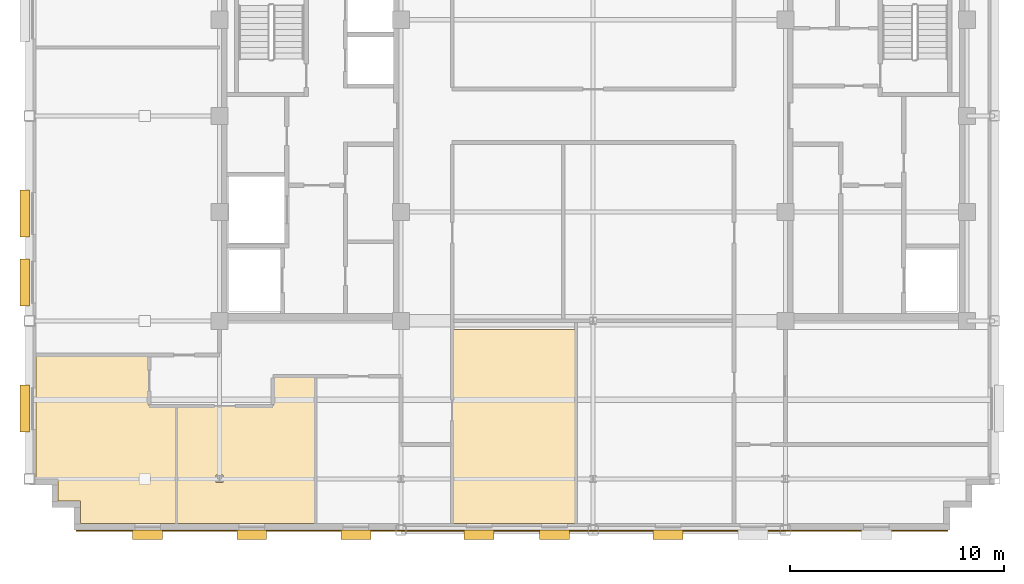
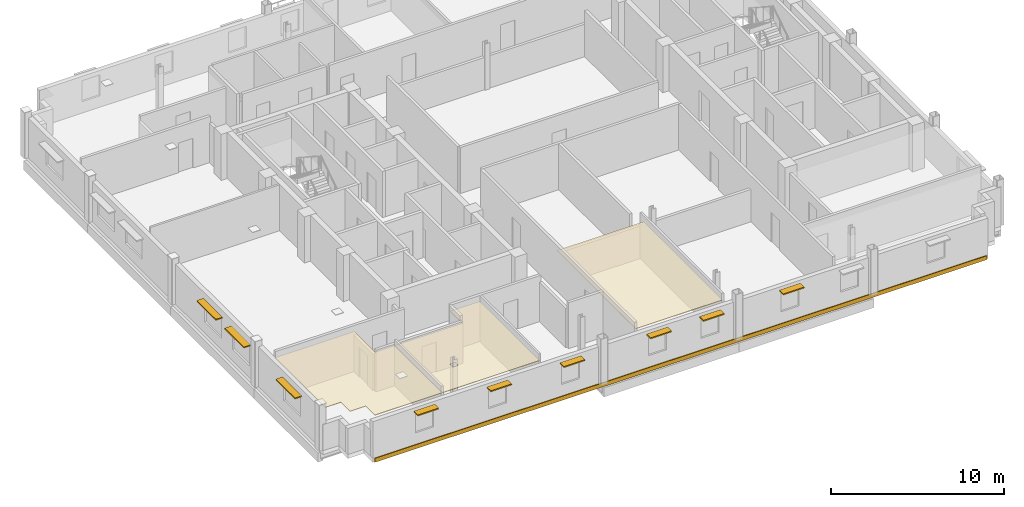
# One storey, part 10 of 14: 9 shading devices, 4 coverings.
"""IFC4 building model written with IfcOpenShell, lengths in metres."""

import ifcopenshell
import ifcopenshell.guid

model = None  # the IFC model being written
_history = None  # IfcOwnerHistory: only IFC2X3 demands one
_inside = {}  # id of a spatial element -> (the spatial element, [elements in it])
_under = {}  # id of a project, library or spatial element -> (it, [spatial elements below it])
_declared = {}  # id of a project -> (the project, [libraries it declares])
_typed = {}  # id of a type object -> (the type object, [elements of that type])
_made_of = {}  # id of a material, layer set ... -> (it, [elements and type objects made of it])


def new_model(schema):
    """Start an empty IFC model of exactly this schema.

    Asked for "IFC4X3", IfcOpenShell would pick the latest addendum, in which some entities
    have other attributes; the version numbers below select the first issue.
    IFC2X3 requires an IfcOwnerHistory on every rooted entity: one is made here for all.
    """
    global model, _history
    if schema == "IFC4X3":
        model = ifcopenshell.file(schema_version=(4, 3, 0, 0))
    else:
        model = ifcopenshell.file(schema=schema)
    _inside.clear()
    _under.clear()
    _declared.clear()
    _typed.clear()
    _made_of.clear()
    _history = None
    if model.schema == "IFC2X3":
        org = make("IfcOrganization", Name="unknown")
        user = make(
            "IfcPersonAndOrganization",
            ThePerson=make("IfcPerson", FamilyName="unknown"),
            TheOrganization=org,
        )
        app = make(
            "IfcApplication",
            ApplicationDeveloper=org,
            Version="unknown",
            ApplicationFullName="unknown",
            ApplicationIdentifier="unknown",
        )
        _history = make(
            "IfcOwnerHistory",
            OwningUser=user,
            OwningApplication=app,
            ChangeAction="ADDED",
            CreationDate=0,
        )
    return model


def make(cls, **values):
    """One entity of the class cls with the attributes given. An attribute that is None is left unset."""
    return model.create_entity(
        cls, **{name: value for name, value in values.items() if value is not None}
    )


def rooted(cls, **values):
    """An entity with a GlobalId (a new one), such as an element, a storey or a relation."""
    return make(cls, GlobalId=ifcopenshell.guid.new(), OwnerHistory=_history, **values)


def si_unit(unit_type, name, prefix=None):
    """IfcSIUnit, for example si_unit("LENGTHUNIT", "METRE", prefix="MILLI")."""
    return make("IfcSIUnit", UnitType=unit_type, Prefix=prefix, Name=name)


def assignment(units):
    """IfcUnitAssignment: the units of a project."""
    return None if units is None else make("IfcUnitAssignment", Units=units)


def point(xyz):
    """IfcCartesianPoint."""
    return None if xyz is None else make("IfcCartesianPoint", Coordinates=xyz)


def direction(xyz):
    """IfcDirection."""
    return None if xyz is None else make("IfcDirection", DirectionRatios=xyz)


def frame(location, z_axis=None, x_axis=None):
    """IfcAxis2Placement3D, a coordinate frame: its origin and axes. An axis left out is left unset."""
    return make(
        "IfcAxis2Placement3D",
        Location=point(location),
        Axis=direction(z_axis),
        RefDirection=direction(x_axis),
    )


def frame_2d(location, x_axis=None):
    """IfcAxis2Placement2D, a coordinate frame in the plane: its origin and x axis."""
    return make(
        "IfcAxis2Placement2D", Location=point(location), RefDirection=direction(x_axis)
    )


def origin():
    """The frame at (0, 0, 0) with its axes left unset."""
    return frame((0.0, 0.0, 0.0))


def origin_2d():
    """The frame at (0, 0) in the plane with its x axis left unset."""
    return frame_2d((0.0, 0.0))


def place(relative_to, where):
    """IfcLocalPlacement: puts the frame where relative to a parent placement (None: the world)."""
    return make(
        "IfcLocalPlacement", PlacementRelTo=relative_to, RelativePlacement=where
    )


def context(
    kind, dimensions, precision=None, world=None, true_north=None, identifier=None
):
    """IfcGeometricRepresentationContext, for example the 3D "Model" context."""
    return make(
        "IfcGeometricRepresentationContext",
        ContextIdentifier=identifier,
        ContextType=kind,
        CoordinateSpaceDimension=dimensions,
        Precision=precision,
        WorldCoordinateSystem=world,
        TrueNorth=true_north,
    )


def subcontext(parent, identifier, kind, view, scale=None):
    """IfcGeometricRepresentationSubContext, for example "Body" below "Model"."""
    return make(
        "IfcGeometricRepresentationSubContext",
        ContextIdentifier=identifier,
        ContextType=kind,
        ParentContext=parent,
        TargetScale=scale,
        TargetView=view,
    )


def project(units=None, contexts=None):
    """IfcProject with its units and contexts."""
    return rooted(
        "IfcProject",
        Name="project",
        RepresentationContexts=contexts,
        UnitsInContext=assignment(units),
    )


def spatial(cls, under=None, at=None, **own):
    """A site, building, storey or space (cls), placed at a placement, below another one or the project."""
    s = rooted(cls, ObjectPlacement=at, **own)
    if under is not None:
        _under.setdefault(under.id(), (under, []))[1].append(s)
    return s


def polyline(points):
    """IfcPolyline through the points."""
    return make("IfcPolyline", Points=[point(p) for p in points])


def profile(cls, at=None, kind="AREA", **sizes):
    """A parametric profile (cls). Its sizes go by their IFC names, for example OverallWidth=200.0."""
    return make(cls, ProfileType=kind, Position=at, **sizes)


def rectangle(**sizes):
    """IfcRectangleProfileDef."""
    return profile("IfcRectangleProfileDef", **sizes)


def outline(outer, holes=None, kind="AREA"):
    """IfcArbitraryClosedProfileDef: a profile drawn as a closed curve; with holes, ...WithVoids."""
    if holes is None:
        return make("IfcArbitraryClosedProfileDef", ProfileType=kind, OuterCurve=outer)
    return make(
        "IfcArbitraryProfileDefWithVoids",
        ProfileType=kind,
        OuterCurve=outer,
        InnerCurves=holes,
    )


def extrude(swept, where, along, depth):
    """IfcExtrudedAreaSolid: the profile swept, set in the frame where, extruded along a direction by depth."""
    return make(
        "IfcExtrudedAreaSolid",
        SweptArea=swept,
        Position=where,
        ExtrudedDirection=direction(along),
        Depth=depth,
    )


def shape(context_of_items, identifier, shape_type, items):
    """IfcShapeRepresentation: the items that make up one representation, for example the "Body"."""
    return make(
        "IfcShapeRepresentation",
        ContextOfItems=context_of_items,
        RepresentationIdentifier=identifier,
        RepresentationType=shape_type,
        Items=items,
    )


def source(mapping_origin, context_of_items, identifier, shape_type, items):
    """IfcRepresentationMap: a shape defined once, which mapped items show again and again."""
    return make(
        "IfcRepresentationMap",
        MappingOrigin=mapping_origin,
        MappedRepresentation=shape(context_of_items, identifier, shape_type, items),
    )


def transform(
    local_origin,
    x_axis=None,
    y_axis=None,
    z_axis=None,
    scale=None,
    scale2=None,
    scale3=None,
    uniform=True,
):
    """IfcCartesianTransformationOperator3D, or its non-uniform kind. x_axis, y_axis, z_axis: its Axis1, 2, 3."""
    if uniform:
        return make(
            "IfcCartesianTransformationOperator3D",
            Axis1=direction(x_axis),
            Axis2=direction(y_axis),
            LocalOrigin=point(local_origin),
            Scale=scale,
            Axis3=direction(z_axis),
        )
    return make(
        "IfcCartesianTransformationOperator3DnonUniform",
        Axis1=direction(x_axis),
        Axis2=direction(y_axis),
        LocalOrigin=point(local_origin),
        Scale=scale,
        Axis3=direction(z_axis),
        Scale2=scale2,
        Scale3=scale3,
    )


def mapped(mapping_source, mapping_target):
    """IfcMappedItem: shows the shape of a source again, moved by a transform."""
    return make(
        "IfcMappedItem", MappingSource=mapping_source, MappingTarget=mapping_target
    )


def material(Name=None, Category=None):
    """IfcMaterial."""
    return make("IfcMaterial", Name=Name, Category=Category)


def layer(
    of_material, thickness, ventilated=None, Name=None, Category=None, Priority=None
):
    """IfcMaterialLayer: one layer of a wall or slab, of a material (None: an air gap)."""
    return make(
        "IfcMaterialLayer",
        Material=of_material,
        LayerThickness=thickness,
        IsVentilated=ventilated,
        Name=Name,
        Category=Category,
        Priority=Priority,
    )


def layer_set(layers, Name=None):
    """IfcMaterialLayerSet."""
    return make("IfcMaterialLayerSet", MaterialLayers=layers, LayerSetName=Name)


def made_of(thing, what):
    """Note that an element or type object is made of a material, layer set ...; save() writes the relation."""
    if what is not None:
        _made_of.setdefault(what.id(), (what, []))[1].append(thing)
    return thing


def type_object(cls, material=None, **own):
    """A type object (cls), such as IfcWallType, which elements share."""
    return made_of(rooted(cls, **own), material)


def type_shapes(of_type, sources):
    """Give a type object the sources (RepresentationMaps) that its elements show as mapped items."""
    of_type.RepresentationMaps = sources


def element(
    cls,
    number,
    at=None,
    inside=None,
    cuts=None,
    type_object=None,
    material=None,
    context=None,
    identifier="Body",
    shape_type=None,
    held_by="IfcProductDefinitionShape",
    body=None,
    shapes=None,
    **own,
):
    """One element of the class cls, such as IfcWall. Its Tag is "e" and its number.

    at: its placement. inside: the storey or other place that contains it. cuts: it is an
    opening in that element (IfcRelVoidsElement). A single representation is given by context,
    identifier, shape_type and body (its items); several are given by shapes. held_by: the class
    of the entity that holds the representations. save() writes the other relations.
    """
    e = rooted(cls, Tag="e%d" % number, ObjectPlacement=at, **own)
    if body is not None:
        shapes = [shape(context, identifier, shape_type, body)]
    if shapes is not None:
        e.Representation = make(held_by, Representations=shapes)
    if inside is not None:
        _inside.setdefault(inside.id(), (inside, []))[1].append(e)
    if cuts is not None:
        rooted(
            "IfcRelVoidsElement", RelatingBuildingElement=cuts, RelatedOpeningElement=e
        )
    if type_object is not None:
        _typed.setdefault(type_object.id(), (type_object, []))[1].append(e)
    return made_of(e, material)


def aggregate(whole, parts):
    """IfcRelAggregates: a whole, such as a stair, and the parts it consists of."""
    return rooted("IfcRelAggregates", RelatingObject=whole, RelatedObjects=parts)


def save(model, path):
    """Write the relations noted so far, then the file.

    IfcRelAggregates (storeys below a building ...), IfcRelContainedInSpatialStructure (elements
    in a storey), IfcRelDefinesByType, IfcRelAssociatesMaterial and IfcRelDeclares: one each for
    every whole, place, type object, material and project.
    """
    for whole, parts in _under.values():
        aggregate(whole, parts)
    for where, things in _inside.values():
        rooted(
            "IfcRelContainedInSpatialStructure",
            RelatedElements=things,
            RelatingStructure=where,
        )
    for kind, things in _typed.values():
        rooted("IfcRelDefinesByType", RelatedObjects=things, RelatingType=kind)
    for what, things in _made_of.values():
        rooted("IfcRelAssociatesMaterial", RelatedObjects=things, RelatingMaterial=what)
    for by, libraries in _declared.values():
        rooted("IfcRelDeclares", RelatingContext=by, RelatedDefinitions=libraries)
    model.write(path)


model = new_model("IFC4")

# Units and contexts
model_context = context("Model", 3, precision=1e-05, world=origin(), true_north=direction((0.0, 1.0)))
body_context = subcontext(model_context, "Body", "Model", "MODEL_VIEW")
ifc_project = project(units=[si_unit("LENGTHUNIT", "METRE"), si_unit("AREAUNIT", "SQUARE_METRE"), si_unit("VOLUMEUNIT", "CUBIC_METRE"), si_unit("PLANEANGLEUNIT", "RADIAN"), si_unit("MASSUNIT", "GRAM", prefix="KILO")], contexts=[model_context])

# Site, building, storey
site_placement = place(None, origin())
site = spatial("IfcSite", under=ifc_project, at=site_placement, CompositionType="ELEMENT")
building_placement = place(site_placement, origin())
building = spatial("IfcBuilding", under=site, at=building_placement, Name="Nuvemarco Arch Tower", CompositionType="ELEMENT")
storey_placement = place(building_placement, frame((0.0, 0.0, 242.0)))
storey = spatial("IfcBuildingStorey", under=building, at=storey_placement, Name="L64", CompositionType="ELEMENT", Elevation=242.0)

# Coverings
ifc_material_1 = material(Name="Mineral acoustic ceiling tile")
ifc_layer_1 = layer(ifc_material_1, 0.0400390625, Name="COV-ACOUSTIC-CLG")
ifc_layer_set_1 = layer_set([ifc_layer_1], Name="Mineral acoustic ceiling tile")
covering_type_1 = type_object("IfcCoveringType", Name="COV-ACOUSTIC-CLG", PredefinedType="CEILING", material=ifc_layer_set_1)
covering_1_placement = place(storey_placement, frame((0.0, 0.0, 2.72998046875)))
element("IfcCovering", 1, at=covering_1_placement, inside=storey, type_object=covering_type_1, Name="L64 suspended acoustic ceiling 3", PredefinedType="CEILING", context=body_context, shape_type="SweptSolid", body=[
    extrude(outline(polyline([(-6.60009765625, -10.0), (-0.800048828125, -10.0), (-0.800048828125, -19.10009765625), (-6.60009765625, -19.10009765625), (-6.60009765625, -15.39990234375), (-6.60009765625, -12.199951171875), (-6.60009765625, -10.0)])), origin(), (0.0, 0.0, 1.0), 0.0400390625),
])
covering_2_placement = place(storey_placement, frame((0.0, 0.0, 2.72998046875)))
element("IfcCovering", 2, at=covering_2_placement, inside=storey, type_object=covering_type_1, Name="L64 suspended acoustic ceiling 6", PredefinedType="CEILING", context=body_context, shape_type="SweptSolid", body=[
    extrude(outline(polyline([(-26.10009765625, -17.0), (-26.10009765625, -11.199951171875), (-20.800048828125, -11.199951171875), (-20.800048828125, -13.60009765625), (-19.5, -13.60009765625), (-19.5, -19.10009765625), (-24.0, -19.10009765625), (-24.0, -18.050048828125), (-25.050048828125, -18.050048828125), (-25.050048828125, -17.0), (-26.10009765625, -17.0)])), origin(), (0.0, 0.0, 1.0), 0.0400390625),
])
covering_3_placement = place(storey_placement, frame((0.0, 0.0, 2.72998046875)))
element("IfcCovering", 3, at=covering_3_placement, inside=storey, type_object=covering_type_1, Name="L64 suspended acoustic ceiling 9", PredefinedType="CEILING", context=body_context, shape_type="SweptSolid", body=[
    extrude(outline(polyline([(-13.0, -12.199951171875), (-13.0, -19.10009765625), (-19.5, -19.10009765625), (-19.5, -13.60009765625), (-15.0, -13.60009765625), (-15.0, -12.199951171875), (-13.0, -12.199951171875)]), holes=[polyline([(-17.330078125, -16.830078125), (-17.669921875, -16.830078125), (-17.669921875, -17.169921875), (-17.330078125, -17.169921875), (-17.330078125, -16.830078125)])]), origin(), (0.0, 0.0, 1.0), 0.0400390625),
])

# Shading devices
ifc_material_2 = material(Name="Anodised aluminium 6063-T6", Category="aluminium")
shading_device_type_1 = type_object("IfcShadingDeviceType", Name="SHD-BRISE-SOLEIL", PredefinedType="USERDEFINED", material=ifc_material_2)
shared_shape_1 = source(origin(), body_context, "Body", "SweptSolid", [
    extrude(rectangle(XDim=2.199951171875, YDim=0.449951171875, at=origin_2d()), origin(), (0.0, 0.0, 1.0), 0.080078125),
])
type_shapes(shading_device_type_1, [shared_shape_1])
for number, where, z_axis, x_axis, name in (
    (4, (-26.614990234375, -13.7177734375, 2.284912109375), (0.0, 0.0, 1.0), (0.0, 1.0, 0.0), "L64 horizontal brise-soleil sunshade"),
    (5, (-26.614990234375, -7.795166015625, 2.284912109375), (0.0, 0.0, 1.0), (0.0, 1.0, 0.0), "L64 horizontal brise-soleil sunshade"),
    (6, (-26.614990234375, -4.572509765625, 2.284912109375), (0.0, 0.0, 1.0), (0.0, 1.0, 0.0), "L64 horizontal brise-soleil sunshade"),
):
    element("IfcShadingDevice", number, at=place(storey_placement, frame(where, z_axis=z_axis, x_axis=x_axis)), inside=storey, type_object=shading_device_type_1, Name=name, ObjectType="SUNSHADE", PredefinedType="USERDEFINED", context=body_context, shape_type="MappedRepresentation", body=[
        mapped(shared_shape_1, transform((0.0, 0.0, 0.0), scale=1.0)),
    ])
shading_device_type_2 = type_object("IfcShadingDeviceType", Name="SHD-BRISE-NARROW", PredefinedType="USERDEFINED", material=ifc_material_2)
shared_shape_2 = source(origin(), body_context, "Body", "SweptSolid", [
    extrude(rectangle(XDim=1.39990234375, YDim=0.449951171875, at=origin_2d()), origin(), (0.0, 0.0, 1.0), 0.080078125),
])
type_shapes(shading_device_type_2, [shared_shape_2])
for number, where, z_axis, x_axis, name in (
    (7, (-20.862548828125, -19.614990234375, 2.284912109375), (0.0, 0.0, 1.0), (1.0, 0.0, 0.0), "L64 horizontal brise-soleil sunshade"),
    (8, (-15.987548828125, -19.614990234375, 2.284912109375), (0.0, 0.0, 1.0), (1.0, 0.0, 0.0), "L64 horizontal brise-soleil sunshade"),
    (9, (-11.112548828125, -19.614990234375, 2.284912109375), (0.0, 0.0, 1.0), (1.0, 0.0, 0.0), "L64 horizontal brise-soleil sunshade"),
    (10, (-5.33740234375, -19.614990234375, 2.284912109375), (0.0, 0.0, 1.0), (1.0, 0.0, 0.0), "L64 horizontal brise-soleil sunshade"),
    (11, (-1.8125, -19.614990234375, 2.284912109375), (0.0, 0.0, 1.0), (1.0, 0.0, 0.0), "L64 horizontal brise-soleil sunshade"),
    (12, (3.512451171875, -19.614990234375, 2.284912109375), (0.0, 0.0, 1.0), (1.0, 0.0, 0.0), "L64 horizontal brise-soleil sunshade"),
):
    element("IfcShadingDevice", number, at=place(storey_placement, frame(where, z_axis=z_axis, x_axis=x_axis)), inside=storey, type_object=shading_device_type_2, Name=name, ObjectType="SUNSHADE", PredefinedType="USERDEFINED", context=body_context, shape_type="MappedRepresentation", body=[
        mapped(shared_shape_2, transform((0.0, 0.0, 0.0), scale=1.0)),
    ])

# Covering
ifc_material_3 = material(Name="Precast concrete C45/55", Category="concrete")
ifc_layer_2 = layer(ifc_material_3, 0.06005859375, Name="COV-SPANDREL-CLAD")
ifc_layer_set_2 = layer_set([ifc_layer_2], Name="Precast concrete C45/55")
covering_type_2 = type_object("IfcCoveringType", Name="COV-SPANDREL-CLAD", PredefinedType="CLADDING", material=ifc_layer_set_2)
shared_shape_3 = source(origin(), body_context, "Body", "SweptSolid", [
    extrude(rectangle(XDim=40.800048828125, YDim=0.06005859375, at=origin_2d()), origin(), (0.0, 0.0, 1.0), 0.280029296875),
])
type_shapes(covering_type_2, [shared_shape_3])
covering_4_placement = place(storey_placement, frame((-3.800048828125, -19.428955078125, -0.27978515625), z_axis=(0.0, 0.0, 1.0), x_axis=(1.0, 0.0, 0.0)))
element("IfcCovering", 13, at=covering_4_placement, inside=storey, type_object=covering_type_2, Name="L64 precast spandrel edge cladding south", PredefinedType="CLADDING", context=body_context, shape_type="MappedRepresentation", body=[
    mapped(shared_shape_3, transform((0.0, 0.0, 0.0), scale=1.0)),
])

save(model, "model.ifc")
